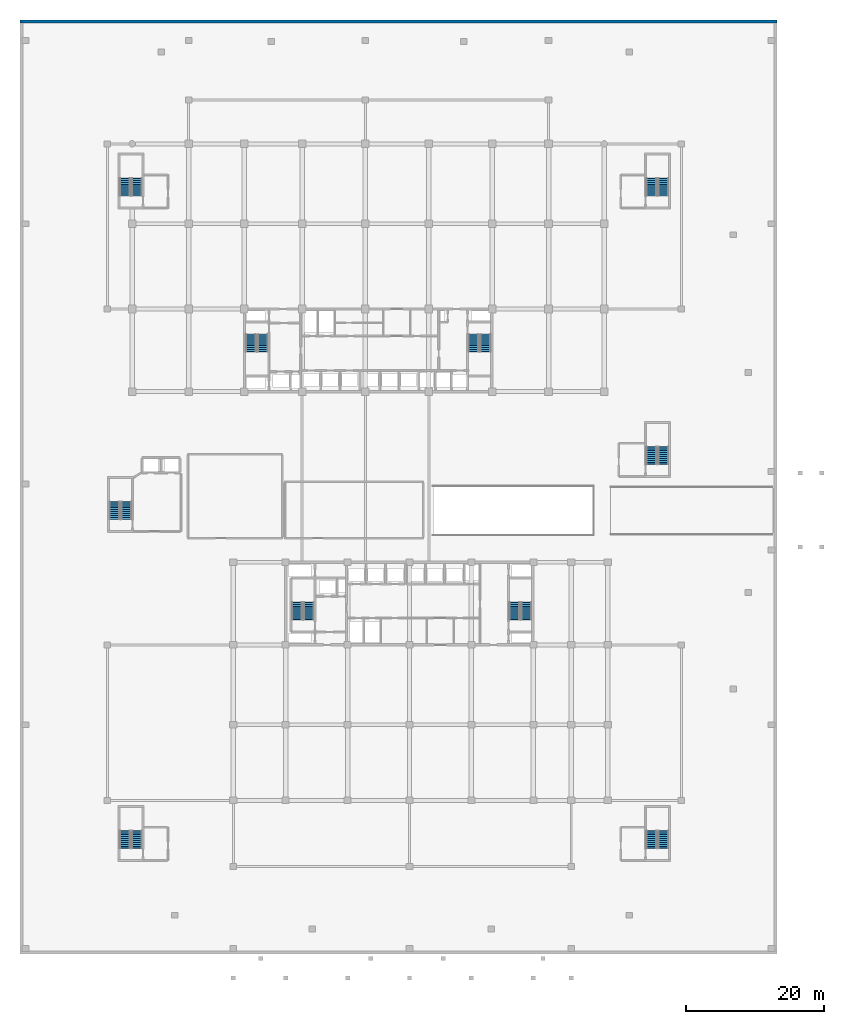
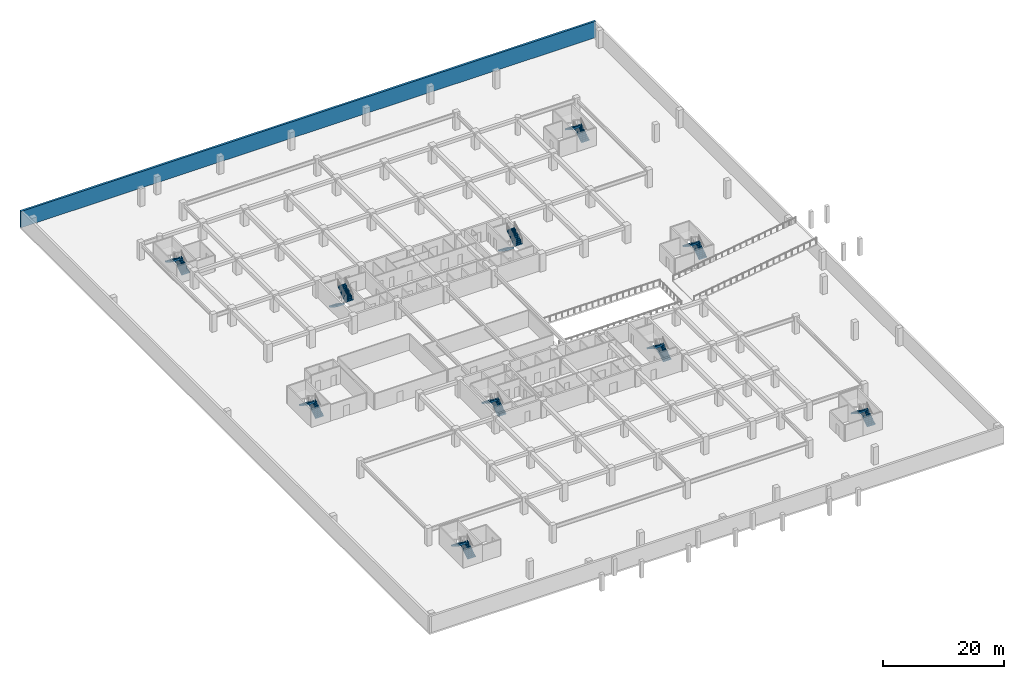
# One storey, part 14 of 23: 20 stair flights, 1 wall, 10 elements without a shape of their own.
"""IFC4 building model written with IfcOpenShell, lengths in metres."""

from ifc_helpers import new_model, si_unit, direction, frame, frame_2d, origin, place, context, subcontext, project, spatial, polyline, rectangle, outline, extrude, material, layer, layer_set, type_object, element, aggregate, save


model = new_model("IFC4")

# Units and contexts
model_context = context("Model", 3, precision=1e-05, world=origin(), true_north=direction((0.0, 1.0)))
body_context = subcontext(model_context, "Body", "Model", "MODEL_VIEW")
ifc_project = project(units=[si_unit("LENGTHUNIT", "METRE"), si_unit("AREAUNIT", "SQUARE_METRE"), si_unit("VOLUMEUNIT", "CUBIC_METRE"), si_unit("PLANEANGLEUNIT", "RADIAN"), si_unit("MASSUNIT", "GRAM", prefix="KILO")], contexts=[model_context])

# Site, building, storey
site_placement = place(None, origin())
site = spatial("IfcSite", under=ifc_project, at=site_placement, CompositionType="ELEMENT")
building_placement = place(site_placement, origin())
building = spatial("IfcBuilding", under=site, at=building_placement, Name="Korimba Cascade Residences", CompositionType="ELEMENT")
storey_placement = place(building_placement, frame((0.0, 0.0, -3.60009765625)))
storey = spatial("IfcBuildingStorey", under=building, at=storey_placement, Name="B01", CompositionType="ELEMENT", Elevation=-3.60009765625)

# Wall
ifc_material = material(Name="Concrete C50/60", Category="concrete")
ifc_layer = layer(ifc_material, 0.39990234375)
ifc_layer_set = layer_set([ifc_layer], Name="Concrete C50/60")
wall_type = type_object("IfcWallType", Name="EW-RET-400", PredefinedType="USERDEFINED", material=ifc_layer_set)
wall_placement = place(storey_placement, frame((153.5, 109.0, 0.0), z_axis=(0.0, 0.0, 1.0), x_axis=(-1.0, 0.0, 0.0)))
element("IfcWall", 1, at=wall_placement, inside=storey, type_object=wall_type, Name="B01 Basement Retaining Wall N", ObjectType="RETAININGWALL", PredefinedType="USERDEFINED", context=body_context, shape_type="SweptSolid", body=[
    extrude(rectangle(XDim=110.0, YDim=0.39990234375, at=frame_2d((55.0, 0.0))), origin(), (0.0, 0.0, 1.0), 3.300048828125),
])

# Stair, stair flights
stair_type_1 = type_object("IfcStairType", Name="STR-W1-20R-1800", PredefinedType="HALF_TURN_STAIR", material=ifc_material)
stair_1_placement = place(storey_placement, origin())
stair_1 = element("IfcStair", 2, at=stair_1_placement, inside=storey, type_object=stair_type_1, Name="B01 Tower 1 West Fire Stair ST-W1", PredefinedType="HALF_TURN_STAIR")
stair_flight_type = type_object("IfcStairFlightType", Name="STF-DL-20R-1800-1520", PredefinedType="STRAIGHT", material=ifc_material)
stair_flight_1_placement = place(storey_placement, frame((77.06005859375, 63.550048828125, 0.0), z_axis=(0.0, 0.0, 1.0), x_axis=(0.0, -1.0, 0.0)))
stair_flight_1 = element("IfcStairFlight", 3, at=stair_flight_1_placement, type_object=stair_flight_type, Name="ST-W1 flight 1", NumberOfRisers=10, NumberOfTreads=9, PredefinedType="STRAIGHT", RiserHeight=0.18, TreadLength=0.28, context=body_context, shape_type="SweptSolid", body=[
    extrude(outline(polyline([(-0.0380859375, 0.0), (0.0, 0.179931640625), (0.280029296875, 0.179931640625), (0.280029296875, 0.360107421875), (0.56005859375, 0.360107421875), (0.56005859375, 0.5400390625), (0.840087890625, 0.5400390625), (0.840087890625, 0.719970703125), (1.1201171875, 0.719970703125), (1.1201171875, 0.89990234375), (1.39990234375, 0.89990234375), (1.39990234375, 1.080078125), (1.679931640625, 1.080078125), (1.679931640625, 1.260009765625), (1.9599609375, 1.260009765625), (1.9599609375, 1.43994140625), (2.239990234375, 1.43994140625), (2.239990234375, 1.6201171875), (2.52001953125, 1.6201171875), (2.52001953125, 1.800048828125), (2.55810546875, 1.800048828125), (2.55810546875, 1.44189453125), (0.277099609375, 0.0), (0.277099609375, -0.0380859375), (-0.0380859375, -0.0380859375), (-0.0380859375, 0.0)])), frame((0.0, 0.760009765625, 0.0), z_axis=(0.0, -1.0, 0.0), x_axis=(1.0, 0.0, 0.0)), (0.0, 0.0, 1.0), 1.52001953125),
])
stair_flight_2_placement = place(storey_placement, frame((78.780029296875, 61.030029296875, 1.800048828125), z_axis=(0.0, 0.0, 1.0), x_axis=(0.0, 1.0, 0.0)))
stair_flight_2 = element("IfcStairFlight", 4, at=stair_flight_2_placement, type_object=stair_flight_type, Name="ST-W1 flight 2", NumberOfRisers=10, NumberOfTreads=9, PredefinedType="STRAIGHT", RiserHeight=0.18, TreadLength=0.28, context=body_context, shape_type="SweptSolid", body=[
    extrude(outline(polyline([(-0.0380859375, 0.0), (0.0, 0.179931640625), (0.280029296875, 0.179931640625), (0.280029296875, 0.360107421875), (0.56005859375, 0.360107421875), (0.56005859375, 0.5400390625), (0.840087890625, 0.5400390625), (0.840087890625, 0.719970703125), (1.1201171875, 0.719970703125), (1.1201171875, 0.89990234375), (1.39990234375, 0.89990234375), (1.39990234375, 1.080078125), (1.679931640625, 1.080078125), (1.679931640625, 1.260009765625), (1.9599609375, 1.260009765625), (1.9599609375, 1.43994140625), (2.239990234375, 1.43994140625), (2.239990234375, 1.6201171875), (2.52001953125, 1.6201171875), (2.52001953125, 1.800048828125), (2.55810546875, 1.800048828125), (2.55810546875, 1.44189453125), (0.277099609375, 0.0), (0.277099609375, -0.0380859375), (-0.0380859375, -0.0380859375), (-0.0380859375, 0.0)])), frame((0.0, 0.760009765625, 0.0), z_axis=(0.0, -1.0, 0.0), x_axis=(1.0, 0.0, 0.0)), (0.0, 0.0, 1.0), 1.52001953125),
])
aggregate(stair_1, [stair_flight_1, stair_flight_2])

stair_type_2 = type_object("IfcStairType", Name="STR-W2-20R-1800", PredefinedType="HALF_TURN_STAIR", material=ifc_material)
stair_2_placement = place(storey_placement, origin())
stair_2 = element("IfcStair", 5, at=stair_2_placement, inside=storey, type_object=stair_type_2, Name="B01 Tower 1 East Fire Stair ST-W2", PredefinedType="HALF_TURN_STAIR")
stair_flight_3_placement = place(storey_placement, frame((109.419921875, 63.550048828125, 0.0), z_axis=(0.0, 0.0, 1.0), x_axis=(0.0, -1.0, 0.0)))
stair_flight_3 = element("IfcStairFlight", 6, at=stair_flight_3_placement, type_object=stair_flight_type, Name="ST-W2 flight 1", NumberOfRisers=10, NumberOfTreads=9, PredefinedType="STRAIGHT", RiserHeight=0.18, TreadLength=0.28, context=body_context, shape_type="SweptSolid", body=[
    extrude(outline(polyline([(-0.0380859375, 0.0), (0.0, 0.179931640625), (0.280029296875, 0.179931640625), (0.280029296875, 0.360107421875), (0.56005859375, 0.360107421875), (0.56005859375, 0.5400390625), (0.840087890625, 0.5400390625), (0.840087890625, 0.719970703125), (1.1201171875, 0.719970703125), (1.1201171875, 0.89990234375), (1.39990234375, 0.89990234375), (1.39990234375, 1.080078125), (1.679931640625, 1.080078125), (1.679931640625, 1.260009765625), (1.9599609375, 1.260009765625), (1.9599609375, 1.43994140625), (2.239990234375, 1.43994140625), (2.239990234375, 1.6201171875), (2.52001953125, 1.6201171875), (2.52001953125, 1.800048828125), (2.55810546875, 1.800048828125), (2.55810546875, 1.44189453125), (0.277099609375, 0.0), (0.277099609375, -0.0380859375), (-0.0380859375, -0.0380859375), (-0.0380859375, 0.0)])), frame((0.0, 0.760009765625, 0.0), z_axis=(0.0, -1.0, 0.0), x_axis=(1.0, 0.0, 0.0)), (0.0, 0.0, 1.0), 1.52001953125),
])
stair_flight_4_placement = place(storey_placement, frame((111.139892578125, 61.030029296875, 1.800048828125), z_axis=(0.0, 0.0, 1.0), x_axis=(0.0, 1.0, 0.0)))
stair_flight_4 = element("IfcStairFlight", 7, at=stair_flight_4_placement, type_object=stair_flight_type, Name="ST-W2 flight 2", NumberOfRisers=10, NumberOfTreads=9, PredefinedType="STRAIGHT", RiserHeight=0.18, TreadLength=0.28, context=body_context, shape_type="SweptSolid", body=[
    extrude(outline(polyline([(-0.0380859375, 0.0), (0.0, 0.179931640625), (0.280029296875, 0.179931640625), (0.280029296875, 0.360107421875), (0.56005859375, 0.360107421875), (0.56005859375, 0.5400390625), (0.840087890625, 0.5400390625), (0.840087890625, 0.719970703125), (1.1201171875, 0.719970703125), (1.1201171875, 0.89990234375), (1.39990234375, 0.89990234375), (1.39990234375, 1.080078125), (1.679931640625, 1.080078125), (1.679931640625, 1.260009765625), (1.9599609375, 1.260009765625), (1.9599609375, 1.43994140625), (2.239990234375, 1.43994140625), (2.239990234375, 1.6201171875), (2.52001953125, 1.6201171875), (2.52001953125, 1.800048828125), (2.55810546875, 1.800048828125), (2.55810546875, 1.44189453125), (0.277099609375, 0.0), (0.277099609375, -0.0380859375), (-0.0380859375, -0.0380859375), (-0.0380859375, 0.0)])), frame((0.0, 0.760009765625, 0.0), z_axis=(0.0, -1.0, 0.0), x_axis=(1.0, 0.0, 0.0)), (0.0, 0.0, 1.0), 1.52001953125),
])
aggregate(stair_2, [stair_flight_3, stair_flight_4])

stair_type_3 = type_object("IfcStairType", Name="STR-E1-20R-1800", PredefinedType="HALF_TURN_STAIR", material=ifc_material)
stair_3_placement = place(storey_placement, origin())
stair_3 = element("IfcStair", 8, at=stair_3_placement, inside=storey, type_object=stair_type_3, Name="B01 Tower 2 West Fire Stair ST-E1", PredefinedType="HALF_TURN_STAIR")
stair_flight_5_placement = place(storey_placement, frame((85.47998046875, 22.050048828125, 0.0), z_axis=(0.0, 0.0, 1.0), x_axis=(0.0, 1.0, 0.0)))
stair_flight_5 = element("IfcStairFlight", 9, at=stair_flight_5_placement, type_object=stair_flight_type, Name="ST-E1 flight 1", NumberOfRisers=10, NumberOfTreads=9, PredefinedType="STRAIGHT", RiserHeight=0.18, TreadLength=0.28, context=body_context, shape_type="SweptSolid", body=[
    extrude(outline(polyline([(-0.0380859375, 0.0), (0.0, 0.179931640625), (0.280029296875, 0.179931640625), (0.280029296875, 0.360107421875), (0.56005859375, 0.360107421875), (0.56005859375, 0.5400390625), (0.840087890625, 0.5400390625), (0.840087890625, 0.719970703125), (1.1201171875, 0.719970703125), (1.1201171875, 0.89990234375), (1.39990234375, 0.89990234375), (1.39990234375, 1.080078125), (1.679931640625, 1.080078125), (1.679931640625, 1.260009765625), (1.9599609375, 1.260009765625), (1.9599609375, 1.43994140625), (2.239990234375, 1.43994140625), (2.239990234375, 1.6201171875), (2.52001953125, 1.6201171875), (2.52001953125, 1.800048828125), (2.55810546875, 1.800048828125), (2.55810546875, 1.44189453125), (0.277099609375, 0.0), (0.277099609375, -0.0380859375), (-0.0380859375, -0.0380859375), (-0.0380859375, 0.0)])), frame((0.0, 0.760009765625, 0.0), z_axis=(0.0, -1.0, 0.0), x_axis=(1.0, 0.0, 0.0)), (0.0, 0.0, 1.0), 1.52001953125),
])
stair_flight_6_placement = place(storey_placement, frame((83.760009765625, 24.570068359375, 1.800048828125), z_axis=(0.0, 0.0, 1.0), x_axis=(0.0, -1.0, 0.0)))
stair_flight_6 = element("IfcStairFlight", 10, at=stair_flight_6_placement, type_object=stair_flight_type, Name="ST-E1 flight 2", NumberOfRisers=10, NumberOfTreads=9, PredefinedType="STRAIGHT", RiserHeight=0.18, TreadLength=0.28, context=body_context, shape_type="SweptSolid", body=[
    extrude(outline(polyline([(-0.0380859375, 0.0), (0.0, 0.179931640625), (0.280029296875, 0.179931640625), (0.280029296875, 0.360107421875), (0.56005859375, 0.360107421875), (0.56005859375, 0.5400390625), (0.840087890625, 0.5400390625), (0.840087890625, 0.719970703125), (1.1201171875, 0.719970703125), (1.1201171875, 0.89990234375), (1.39990234375, 0.89990234375), (1.39990234375, 1.080078125), (1.679931640625, 1.080078125), (1.679931640625, 1.260009765625), (1.9599609375, 1.260009765625), (1.9599609375, 1.43994140625), (2.239990234375, 1.43994140625), (2.239990234375, 1.6201171875), (2.52001953125, 1.6201171875), (2.52001953125, 1.800048828125), (2.55810546875, 1.800048828125), (2.55810546875, 1.44189453125), (0.277099609375, 0.0), (0.277099609375, -0.0380859375), (-0.0380859375, -0.0380859375), (-0.0380859375, 0.0)])), frame((0.0, 0.760009765625, 0.0), z_axis=(0.0, -1.0, 0.0), x_axis=(1.0, 0.0, 0.0)), (0.0, 0.0, 1.0), 1.52001953125),
])
aggregate(stair_3, [stair_flight_5, stair_flight_6])

stair_type_4 = type_object("IfcStairType", Name="STR-E2-20R-1800", PredefinedType="HALF_TURN_STAIR", material=ifc_material)
stair_4_placement = place(storey_placement, origin())
stair_4 = element("IfcStair", 11, at=stair_4_placement, inside=storey, type_object=stair_type_4, Name="B01 Tower 2 East Fire Stair ST-E2", PredefinedType="HALF_TURN_STAIR")
stair_flight_7_placement = place(storey_placement, frame((117.080078125, 22.050048828125, 0.0), z_axis=(0.0, 0.0, 1.0), x_axis=(0.0, 1.0, 0.0)))
stair_flight_7 = element("IfcStairFlight", 12, at=stair_flight_7_placement, type_object=stair_flight_type, Name="ST-E2 flight 1", NumberOfRisers=10, NumberOfTreads=9, PredefinedType="STRAIGHT", RiserHeight=0.18, TreadLength=0.28, context=body_context, shape_type="SweptSolid", body=[
    extrude(outline(polyline([(-0.0380859375, 0.0), (0.0, 0.179931640625), (0.280029296875, 0.179931640625), (0.280029296875, 0.360107421875), (0.56005859375, 0.360107421875), (0.56005859375, 0.5400390625), (0.840087890625, 0.5400390625), (0.840087890625, 0.719970703125), (1.1201171875, 0.719970703125), (1.1201171875, 0.89990234375), (1.39990234375, 0.89990234375), (1.39990234375, 1.080078125), (1.679931640625, 1.080078125), (1.679931640625, 1.260009765625), (1.9599609375, 1.260009765625), (1.9599609375, 1.43994140625), (2.239990234375, 1.43994140625), (2.239990234375, 1.6201171875), (2.52001953125, 1.6201171875), (2.52001953125, 1.800048828125), (2.55810546875, 1.800048828125), (2.55810546875, 1.44189453125), (0.277099609375, 0.0), (0.277099609375, -0.0380859375), (-0.0380859375, -0.0380859375), (-0.0380859375, 0.0)])), frame((0.0, 0.760009765625, 0.0), z_axis=(0.0, -1.0, 0.0), x_axis=(1.0, 0.0, 0.0)), (0.0, 0.0, 1.0), 1.52001953125),
])
stair_flight_8_placement = place(storey_placement, frame((115.360107421875, 24.570068359375, 1.800048828125), z_axis=(0.0, 0.0, 1.0), x_axis=(0.0, -1.0, 0.0)))
stair_flight_8 = element("IfcStairFlight", 13, at=stair_flight_8_placement, type_object=stair_flight_type, Name="ST-E2 flight 2", NumberOfRisers=10, NumberOfTreads=9, PredefinedType="STRAIGHT", RiserHeight=0.18, TreadLength=0.28, context=body_context, shape_type="SweptSolid", body=[
    extrude(outline(polyline([(-0.0380859375, 0.0), (0.0, 0.179931640625), (0.280029296875, 0.179931640625), (0.280029296875, 0.360107421875), (0.56005859375, 0.360107421875), (0.56005859375, 0.5400390625), (0.840087890625, 0.5400390625), (0.840087890625, 0.719970703125), (1.1201171875, 0.719970703125), (1.1201171875, 0.89990234375), (1.39990234375, 0.89990234375), (1.39990234375, 1.080078125), (1.679931640625, 1.080078125), (1.679931640625, 1.260009765625), (1.9599609375, 1.260009765625), (1.9599609375, 1.43994140625), (2.239990234375, 1.43994140625), (2.239990234375, 1.6201171875), (2.52001953125, 1.6201171875), (2.52001953125, 1.800048828125), (2.55810546875, 1.800048828125), (2.55810546875, 1.44189453125), (0.277099609375, 0.0), (0.277099609375, -0.0380859375), (-0.0380859375, -0.0380859375), (-0.0380859375, 0.0)])), frame((0.0, 0.760009765625, 0.0), z_axis=(0.0, -1.0, 0.0), x_axis=(1.0, 0.0, 0.0)), (0.0, 0.0, 1.0), 1.52001953125),
])
aggregate(stair_4, [stair_flight_7, stair_flight_8])

stair_type_5 = type_object("IfcStairType", Name="STR-P1-20R-1800", PredefinedType="HALF_TURN_STAIR", material=ifc_material)
stair_5_placement = place(storey_placement, origin())
stair_5 = element("IfcStair", 14, at=stair_5_placement, inside=storey, type_object=stair_type_5, Name="B01 Podium West Fire Stair ST-P1", PredefinedType="HALF_TURN_STAIR")
stair_flight_9_placement = place(storey_placement, frame((58.97998046875, 36.64990234375, 0.0), z_axis=(0.0, 0.0, 1.0), x_axis=(0.0, 1.0, 0.0)))
stair_flight_9 = element("IfcStairFlight", 15, at=stair_flight_9_placement, type_object=stair_flight_type, Name="ST-P1 flight 1", NumberOfRisers=10, NumberOfTreads=9, PredefinedType="STRAIGHT", RiserHeight=0.18, TreadLength=0.28, context=body_context, shape_type="SweptSolid", body=[
    extrude(outline(polyline([(-0.0380859375, 0.0), (0.0, 0.179931640625), (0.280029296875, 0.179931640625), (0.280029296875, 0.360107421875), (0.56005859375, 0.360107421875), (0.56005859375, 0.5400390625), (0.840087890625, 0.5400390625), (0.840087890625, 0.719970703125), (1.1201171875, 0.719970703125), (1.1201171875, 0.89990234375), (1.39990234375, 0.89990234375), (1.39990234375, 1.080078125), (1.679931640625, 1.080078125), (1.679931640625, 1.260009765625), (1.9599609375, 1.260009765625), (1.9599609375, 1.43994140625), (2.239990234375, 1.43994140625), (2.239990234375, 1.6201171875), (2.52001953125, 1.6201171875), (2.52001953125, 1.800048828125), (2.55810546875, 1.800048828125), (2.55810546875, 1.44189453125), (0.277099609375, 0.0), (0.277099609375, -0.0380859375), (-0.0380859375, -0.0380859375), (-0.0380859375, 0.0)])), frame((0.0, 0.760009765625, 0.0), z_axis=(0.0, -1.0, 0.0), x_axis=(1.0, 0.0, 0.0)), (0.0, 0.0, 1.0), 1.52001953125),
])
stair_flight_10_placement = place(storey_placement, frame((57.260009765625, 39.169921875, 1.800048828125), z_axis=(0.0, 0.0, 1.0), x_axis=(0.0, -1.0, 0.0)))
stair_flight_10 = element("IfcStairFlight", 16, at=stair_flight_10_placement, type_object=stair_flight_type, Name="ST-P1 flight 2", NumberOfRisers=10, NumberOfTreads=9, PredefinedType="STRAIGHT", RiserHeight=0.18, TreadLength=0.28, context=body_context, shape_type="SweptSolid", body=[
    extrude(outline(polyline([(-0.0380859375, 0.0), (0.0, 0.179931640625), (0.280029296875, 0.179931640625), (0.280029296875, 0.360107421875), (0.56005859375, 0.360107421875), (0.56005859375, 0.5400390625), (0.840087890625, 0.5400390625), (0.840087890625, 0.719970703125), (1.1201171875, 0.719970703125), (1.1201171875, 0.89990234375), (1.39990234375, 0.89990234375), (1.39990234375, 1.080078125), (1.679931640625, 1.080078125), (1.679931640625, 1.260009765625), (1.9599609375, 1.260009765625), (1.9599609375, 1.43994140625), (2.239990234375, 1.43994140625), (2.239990234375, 1.6201171875), (2.52001953125, 1.6201171875), (2.52001953125, 1.800048828125), (2.55810546875, 1.800048828125), (2.55810546875, 1.44189453125), (0.277099609375, 0.0), (0.277099609375, -0.0380859375), (-0.0380859375, -0.0380859375), (-0.0380859375, 0.0)])), frame((0.0, 0.760009765625, 0.0), z_axis=(0.0, -1.0, 0.0), x_axis=(1.0, 0.0, 0.0)), (0.0, 0.0, 1.0), 1.52001953125),
])
aggregate(stair_5, [stair_flight_9, stair_flight_10])

stair_type_6 = type_object("IfcStairType", Name="STR-P2-20R-1800", PredefinedType="HALF_TURN_STAIR", material=ifc_material)
stair_6_placement = place(storey_placement, origin())
stair_6 = element("IfcStair", 17, at=stair_6_placement, inside=storey, type_object=stair_type_6, Name="B01 Podium East Fire Stair ST-P2", PredefinedType="HALF_TURN_STAIR")
stair_flight_11_placement = place(storey_placement, frame((136.97998046875, 44.64990234375, 0.0), z_axis=(0.0, 0.0, 1.0), x_axis=(0.0, 1.0, 0.0)))
stair_flight_11 = element("IfcStairFlight", 18, at=stair_flight_11_placement, type_object=stair_flight_type, Name="ST-P2 flight 1", NumberOfRisers=10, NumberOfTreads=9, PredefinedType="STRAIGHT", RiserHeight=0.18, TreadLength=0.28, context=body_context, shape_type="SweptSolid", body=[
    extrude(outline(polyline([(-0.0380859375, 0.0), (0.0, 0.179931640625), (0.280029296875, 0.179931640625), (0.280029296875, 0.360107421875), (0.56005859375, 0.360107421875), (0.56005859375, 0.5400390625), (0.840087890625, 0.5400390625), (0.840087890625, 0.719970703125), (1.1201171875, 0.719970703125), (1.1201171875, 0.89990234375), (1.39990234375, 0.89990234375), (1.39990234375, 1.080078125), (1.679931640625, 1.080078125), (1.679931640625, 1.260009765625), (1.9599609375, 1.260009765625), (1.9599609375, 1.43994140625), (2.239990234375, 1.43994140625), (2.239990234375, 1.6201171875), (2.52001953125, 1.6201171875), (2.52001953125, 1.800048828125), (2.55810546875, 1.800048828125), (2.55810546875, 1.44189453125), (0.277099609375, 0.0), (0.277099609375, -0.0380859375), (-0.0380859375, -0.0380859375), (-0.0380859375, 0.0)])), frame((0.0, 0.760009765625, 0.0), z_axis=(0.0, -1.0, 0.0), x_axis=(1.0, 0.0, 0.0)), (0.0, 0.0, 1.0), 1.52001953125),
])
stair_flight_12_placement = place(storey_placement, frame((135.260009765625, 47.169921875, 1.800048828125), z_axis=(0.0, 0.0, 1.0), x_axis=(0.0, -1.0, 0.0)))
stair_flight_12 = element("IfcStairFlight", 19, at=stair_flight_12_placement, type_object=stair_flight_type, Name="ST-P2 flight 2", NumberOfRisers=10, NumberOfTreads=9, PredefinedType="STRAIGHT", RiserHeight=0.18, TreadLength=0.28, context=body_context, shape_type="SweptSolid", body=[
    extrude(outline(polyline([(-0.0380859375, 0.0), (0.0, 0.179931640625), (0.280029296875, 0.179931640625), (0.280029296875, 0.360107421875), (0.56005859375, 0.360107421875), (0.56005859375, 0.5400390625), (0.840087890625, 0.5400390625), (0.840087890625, 0.719970703125), (1.1201171875, 0.719970703125), (1.1201171875, 0.89990234375), (1.39990234375, 0.89990234375), (1.39990234375, 1.080078125), (1.679931640625, 1.080078125), (1.679931640625, 1.260009765625), (1.9599609375, 1.260009765625), (1.9599609375, 1.43994140625), (2.239990234375, 1.43994140625), (2.239990234375, 1.6201171875), (2.52001953125, 1.6201171875), (2.52001953125, 1.800048828125), (2.55810546875, 1.800048828125), (2.55810546875, 1.44189453125), (0.277099609375, 0.0), (0.277099609375, -0.0380859375), (-0.0380859375, -0.0380859375), (-0.0380859375, 0.0)])), frame((0.0, 0.760009765625, 0.0), z_axis=(0.0, -1.0, 0.0), x_axis=(1.0, 0.0, 0.0)), (0.0, 0.0, 1.0), 1.52001953125),
])
aggregate(stair_6, [stair_flight_11, stair_flight_12])

stair_type_7 = type_object("IfcStairType", Name="STR-P3-20R-1800", PredefinedType="HALF_TURN_STAIR", material=ifc_material)
stair_7_placement = place(storey_placement, origin())
stair_7 = element("IfcStair", 20, at=stair_7_placement, inside=storey, type_object=stair_type_7, Name="B01 Podium South-West Corner Fire Stair ST-P3", PredefinedType="HALF_TURN_STAIR")
stair_flight_13_placement = place(storey_placement, frame((60.47998046875, -11.14990234375, 0.0), z_axis=(0.0, 0.0, 1.0), x_axis=(0.0, 1.0, 0.0)))
stair_flight_13 = element("IfcStairFlight", 21, at=stair_flight_13_placement, type_object=stair_flight_type, Name="ST-P3 flight 1", NumberOfRisers=10, NumberOfTreads=9, PredefinedType="STRAIGHT", RiserHeight=0.18, TreadLength=0.28, context=body_context, shape_type="SweptSolid", body=[
    extrude(outline(polyline([(-0.0380859375, 0.0), (0.0, 0.179931640625), (0.280029296875, 0.179931640625), (0.280029296875, 0.360107421875), (0.56005859375, 0.360107421875), (0.56005859375, 0.5400390625), (0.840087890625, 0.5400390625), (0.840087890625, 0.719970703125), (1.1201171875, 0.719970703125), (1.1201171875, 0.89990234375), (1.39990234375, 0.89990234375), (1.39990234375, 1.080078125), (1.679931640625, 1.080078125), (1.679931640625, 1.260009765625), (1.9599609375, 1.260009765625), (1.9599609375, 1.43994140625), (2.239990234375, 1.43994140625), (2.239990234375, 1.6201171875), (2.52001953125, 1.6201171875), (2.52001953125, 1.800048828125), (2.55810546875, 1.800048828125), (2.55810546875, 1.44189453125), (0.277099609375, 0.0), (0.277099609375, -0.0380859375), (-0.0380859375, -0.0380859375), (-0.0380859375, 0.0)])), frame((0.0, 0.760009765625, 0.0), z_axis=(0.0, -1.0, 0.0), x_axis=(1.0, 0.0, 0.0)), (0.0, 0.0, 1.0), 1.52001953125),
])
stair_flight_14_placement = place(storey_placement, frame((58.760009765625, -8.6298828125, 1.800048828125), z_axis=(0.0, 0.0, 1.0), x_axis=(0.0, -1.0, 0.0)))
stair_flight_14 = element("IfcStairFlight", 22, at=stair_flight_14_placement, type_object=stair_flight_type, Name="ST-P3 flight 2", NumberOfRisers=10, NumberOfTreads=9, PredefinedType="STRAIGHT", RiserHeight=0.18, TreadLength=0.28, context=body_context, shape_type="SweptSolid", body=[
    extrude(outline(polyline([(-0.0380859375, 0.0), (0.0, 0.179931640625), (0.280029296875, 0.179931640625), (0.280029296875, 0.360107421875), (0.56005859375, 0.360107421875), (0.56005859375, 0.5400390625), (0.840087890625, 0.5400390625), (0.840087890625, 0.719970703125), (1.1201171875, 0.719970703125), (1.1201171875, 0.89990234375), (1.39990234375, 0.89990234375), (1.39990234375, 1.080078125), (1.679931640625, 1.080078125), (1.679931640625, 1.260009765625), (1.9599609375, 1.260009765625), (1.9599609375, 1.43994140625), (2.239990234375, 1.43994140625), (2.239990234375, 1.6201171875), (2.52001953125, 1.6201171875), (2.52001953125, 1.800048828125), (2.55810546875, 1.800048828125), (2.55810546875, 1.44189453125), (0.277099609375, 0.0), (0.277099609375, -0.0380859375), (-0.0380859375, -0.0380859375), (-0.0380859375, 0.0)])), frame((0.0, 0.760009765625, 0.0), z_axis=(0.0, -1.0, 0.0), x_axis=(1.0, 0.0, 0.0)), (0.0, 0.0, 1.0), 1.52001953125),
])
aggregate(stair_7, [stair_flight_13, stair_flight_14])

stair_type_8 = type_object("IfcStairType", Name="STR-P4-20R-1800", PredefinedType="HALF_TURN_STAIR", material=ifc_material)
stair_8_placement = place(storey_placement, origin())
stair_8 = element("IfcStair", 23, at=stair_8_placement, inside=storey, type_object=stair_type_8, Name="B01 Podium North-East Corner Fire Stair ST-P4", PredefinedType="HALF_TURN_STAIR")
stair_flight_15_placement = place(storey_placement, frame((136.97998046875, 83.64990234375, 0.0), z_axis=(0.0, 0.0, 1.0), x_axis=(0.0, 1.0, 0.0)))
stair_flight_15 = element("IfcStairFlight", 24, at=stair_flight_15_placement, type_object=stair_flight_type, Name="ST-P4 flight 1", NumberOfRisers=10, NumberOfTreads=9, PredefinedType="STRAIGHT", RiserHeight=0.18, TreadLength=0.28, context=body_context, shape_type="SweptSolid", body=[
    extrude(outline(polyline([(-0.0380859375, 0.0), (0.0, 0.179931640625), (0.280029296875, 0.179931640625), (0.280029296875, 0.360107421875), (0.56005859375, 0.360107421875), (0.56005859375, 0.5400390625), (0.840087890625, 0.5400390625), (0.840087890625, 0.719970703125), (1.1201171875, 0.719970703125), (1.1201171875, 0.89990234375), (1.39990234375, 0.89990234375), (1.39990234375, 1.080078125), (1.679931640625, 1.080078125), (1.679931640625, 1.260009765625), (1.9599609375, 1.260009765625), (1.9599609375, 1.43994140625), (2.239990234375, 1.43994140625), (2.239990234375, 1.6201171875), (2.52001953125, 1.6201171875), (2.52001953125, 1.800048828125), (2.55810546875, 1.800048828125), (2.55810546875, 1.44189453125), (0.277099609375, 0.0), (0.277099609375, -0.0380859375), (-0.0380859375, -0.0380859375), (-0.0380859375, 0.0)])), frame((0.0, 0.760009765625, 0.0), z_axis=(0.0, -1.0, 0.0), x_axis=(1.0, 0.0, 0.0)), (0.0, 0.0, 1.0), 1.52001953125),
])
stair_flight_16_placement = place(storey_placement, frame((135.260009765625, 86.169921875, 1.800048828125), z_axis=(0.0, 0.0, 1.0), x_axis=(0.0, -1.0, 0.0)))
stair_flight_16 = element("IfcStairFlight", 25, at=stair_flight_16_placement, type_object=stair_flight_type, Name="ST-P4 flight 2", NumberOfRisers=10, NumberOfTreads=9, PredefinedType="STRAIGHT", RiserHeight=0.18, TreadLength=0.28, context=body_context, shape_type="SweptSolid", body=[
    extrude(outline(polyline([(-0.0380859375, 0.0), (0.0, 0.179931640625), (0.280029296875, 0.179931640625), (0.280029296875, 0.360107421875), (0.56005859375, 0.360107421875), (0.56005859375, 0.5400390625), (0.840087890625, 0.5400390625), (0.840087890625, 0.719970703125), (1.1201171875, 0.719970703125), (1.1201171875, 0.89990234375), (1.39990234375, 0.89990234375), (1.39990234375, 1.080078125), (1.679931640625, 1.080078125), (1.679931640625, 1.260009765625), (1.9599609375, 1.260009765625), (1.9599609375, 1.43994140625), (2.239990234375, 1.43994140625), (2.239990234375, 1.6201171875), (2.52001953125, 1.6201171875), (2.52001953125, 1.800048828125), (2.55810546875, 1.800048828125), (2.55810546875, 1.44189453125), (0.277099609375, 0.0), (0.277099609375, -0.0380859375), (-0.0380859375, -0.0380859375), (-0.0380859375, 0.0)])), frame((0.0, 0.760009765625, 0.0), z_axis=(0.0, -1.0, 0.0), x_axis=(1.0, 0.0, 0.0)), (0.0, 0.0, 1.0), 1.52001953125),
])
aggregate(stair_8, [stair_flight_15, stair_flight_16])

stair_type_9 = type_object("IfcStairType", Name="STR-P5-20R-1800", PredefinedType="HALF_TURN_STAIR", material=ifc_material)
stair_9_placement = place(storey_placement, origin())
stair_9 = element("IfcStair", 26, at=stair_9_placement, inside=storey, type_object=stair_type_9, Name="B01 Podium North-West Corner Fire Stair ST-P5", PredefinedType="HALF_TURN_STAIR")
stair_flight_17_placement = place(storey_placement, frame((60.47998046875, 83.64990234375, 0.0), z_axis=(0.0, 0.0, 1.0), x_axis=(0.0, 1.0, 0.0)))
stair_flight_17 = element("IfcStairFlight", 27, at=stair_flight_17_placement, type_object=stair_flight_type, Name="ST-P5 flight 1", NumberOfRisers=10, NumberOfTreads=9, PredefinedType="STRAIGHT", RiserHeight=0.18, TreadLength=0.28, context=body_context, shape_type="SweptSolid", body=[
    extrude(outline(polyline([(-0.0380859375, 0.0), (0.0, 0.179931640625), (0.280029296875, 0.179931640625), (0.280029296875, 0.360107421875), (0.56005859375, 0.360107421875), (0.56005859375, 0.5400390625), (0.840087890625, 0.5400390625), (0.840087890625, 0.719970703125), (1.1201171875, 0.719970703125), (1.1201171875, 0.89990234375), (1.39990234375, 0.89990234375), (1.39990234375, 1.080078125), (1.679931640625, 1.080078125), (1.679931640625, 1.260009765625), (1.9599609375, 1.260009765625), (1.9599609375, 1.43994140625), (2.239990234375, 1.43994140625), (2.239990234375, 1.6201171875), (2.52001953125, 1.6201171875), (2.52001953125, 1.800048828125), (2.55810546875, 1.800048828125), (2.55810546875, 1.44189453125), (0.277099609375, 0.0), (0.277099609375, -0.0380859375), (-0.0380859375, -0.0380859375), (-0.0380859375, 0.0)])), frame((0.0, 0.760009765625, 0.0), z_axis=(0.0, -1.0, 0.0), x_axis=(1.0, 0.0, 0.0)), (0.0, 0.0, 1.0), 1.52001953125),
])
stair_flight_18_placement = place(storey_placement, frame((58.760009765625, 86.169921875, 1.800048828125), z_axis=(0.0, 0.0, 1.0), x_axis=(0.0, -1.0, 0.0)))
stair_flight_18 = element("IfcStairFlight", 28, at=stair_flight_18_placement, type_object=stair_flight_type, Name="ST-P5 flight 2", NumberOfRisers=10, NumberOfTreads=9, PredefinedType="STRAIGHT", RiserHeight=0.18, TreadLength=0.28, context=body_context, shape_type="SweptSolid", body=[
    extrude(outline(polyline([(-0.0380859375, 0.0), (0.0, 0.179931640625), (0.280029296875, 0.179931640625), (0.280029296875, 0.360107421875), (0.56005859375, 0.360107421875), (0.56005859375, 0.5400390625), (0.840087890625, 0.5400390625), (0.840087890625, 0.719970703125), (1.1201171875, 0.719970703125), (1.1201171875, 0.89990234375), (1.39990234375, 0.89990234375), (1.39990234375, 1.080078125), (1.679931640625, 1.080078125), (1.679931640625, 1.260009765625), (1.9599609375, 1.260009765625), (1.9599609375, 1.43994140625), (2.239990234375, 1.43994140625), (2.239990234375, 1.6201171875), (2.52001953125, 1.6201171875), (2.52001953125, 1.800048828125), (2.55810546875, 1.800048828125), (2.55810546875, 1.44189453125), (0.277099609375, 0.0), (0.277099609375, -0.0380859375), (-0.0380859375, -0.0380859375), (-0.0380859375, 0.0)])), frame((0.0, 0.760009765625, 0.0), z_axis=(0.0, -1.0, 0.0), x_axis=(1.0, 0.0, 0.0)), (0.0, 0.0, 1.0), 1.52001953125),
])
aggregate(stair_9, [stair_flight_17, stair_flight_18])

stair_type_10 = type_object("IfcStairType", Name="STR-P6-20R-1800", PredefinedType="HALF_TURN_STAIR", material=ifc_material)
stair_10_placement = place(storey_placement, origin())
stair_10 = element("IfcStair", 29, at=stair_10_placement, inside=storey, type_object=stair_type_10, Name="B01 Podium South-East Corner Fire Stair ST-P6", PredefinedType="HALF_TURN_STAIR")
stair_flight_19_placement = place(storey_placement, frame((136.97998046875, -11.14990234375, 0.0), z_axis=(0.0, 0.0, 1.0), x_axis=(0.0, 1.0, 0.0)))
stair_flight_19 = element("IfcStairFlight", 30, at=stair_flight_19_placement, type_object=stair_flight_type, Name="ST-P6 flight 1", NumberOfRisers=10, NumberOfTreads=9, PredefinedType="STRAIGHT", RiserHeight=0.18, TreadLength=0.28, context=body_context, shape_type="SweptSolid", body=[
    extrude(outline(polyline([(-0.0380859375, 0.0), (0.0, 0.179931640625), (0.280029296875, 0.179931640625), (0.280029296875, 0.360107421875), (0.56005859375, 0.360107421875), (0.56005859375, 0.5400390625), (0.840087890625, 0.5400390625), (0.840087890625, 0.719970703125), (1.1201171875, 0.719970703125), (1.1201171875, 0.89990234375), (1.39990234375, 0.89990234375), (1.39990234375, 1.080078125), (1.679931640625, 1.080078125), (1.679931640625, 1.260009765625), (1.9599609375, 1.260009765625), (1.9599609375, 1.43994140625), (2.239990234375, 1.43994140625), (2.239990234375, 1.6201171875), (2.52001953125, 1.6201171875), (2.52001953125, 1.800048828125), (2.55810546875, 1.800048828125), (2.55810546875, 1.44189453125), (0.277099609375, 0.0), (0.277099609375, -0.0380859375), (-0.0380859375, -0.0380859375), (-0.0380859375, 0.0)])), frame((0.0, 0.760009765625, 0.0), z_axis=(0.0, -1.0, 0.0), x_axis=(1.0, 0.0, 0.0)), (0.0, 0.0, 1.0), 1.52001953125),
])
stair_flight_20_placement = place(storey_placement, frame((135.260009765625, -8.6298828125, 1.800048828125), z_axis=(0.0, 0.0, 1.0), x_axis=(0.0, -1.0, 0.0)))
stair_flight_20 = element("IfcStairFlight", 31, at=stair_flight_20_placement, type_object=stair_flight_type, Name="ST-P6 flight 2", NumberOfRisers=10, NumberOfTreads=9, PredefinedType="STRAIGHT", RiserHeight=0.18, TreadLength=0.28, context=body_context, shape_type="SweptSolid", body=[
    extrude(outline(polyline([(-0.0380859375, 0.0), (0.0, 0.179931640625), (0.280029296875, 0.179931640625), (0.280029296875, 0.360107421875), (0.56005859375, 0.360107421875), (0.56005859375, 0.5400390625), (0.840087890625, 0.5400390625), (0.840087890625, 0.719970703125), (1.1201171875, 0.719970703125), (1.1201171875, 0.89990234375), (1.39990234375, 0.89990234375), (1.39990234375, 1.080078125), (1.679931640625, 1.080078125), (1.679931640625, 1.260009765625), (1.9599609375, 1.260009765625), (1.9599609375, 1.43994140625), (2.239990234375, 1.43994140625), (2.239990234375, 1.6201171875), (2.52001953125, 1.6201171875), (2.52001953125, 1.800048828125), (2.55810546875, 1.800048828125), (2.55810546875, 1.44189453125), (0.277099609375, 0.0), (0.277099609375, -0.0380859375), (-0.0380859375, -0.0380859375), (-0.0380859375, 0.0)])), frame((0.0, 0.760009765625, 0.0), z_axis=(0.0, -1.0, 0.0), x_axis=(1.0, 0.0, 0.0)), (0.0, 0.0, 1.0), 1.52001953125),
])
aggregate(stair_10, [stair_flight_19, stair_flight_20])

save(model, "model.ifc")
